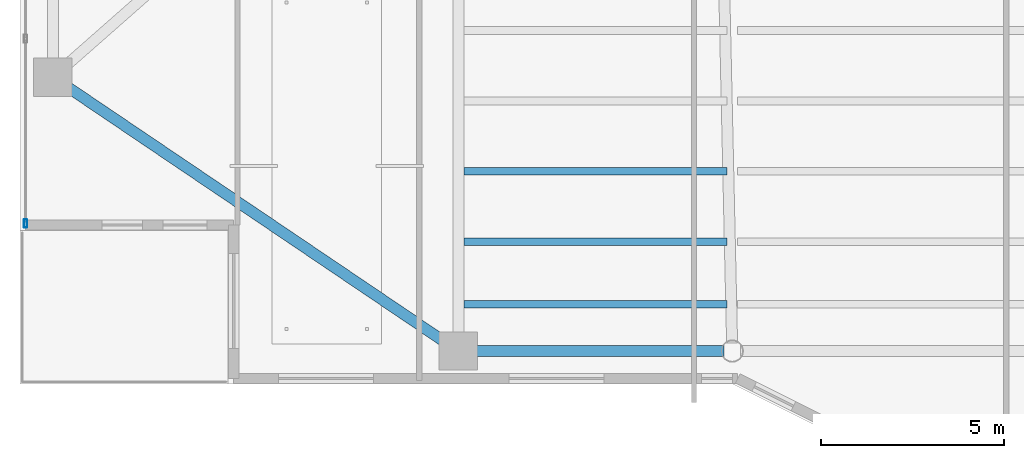
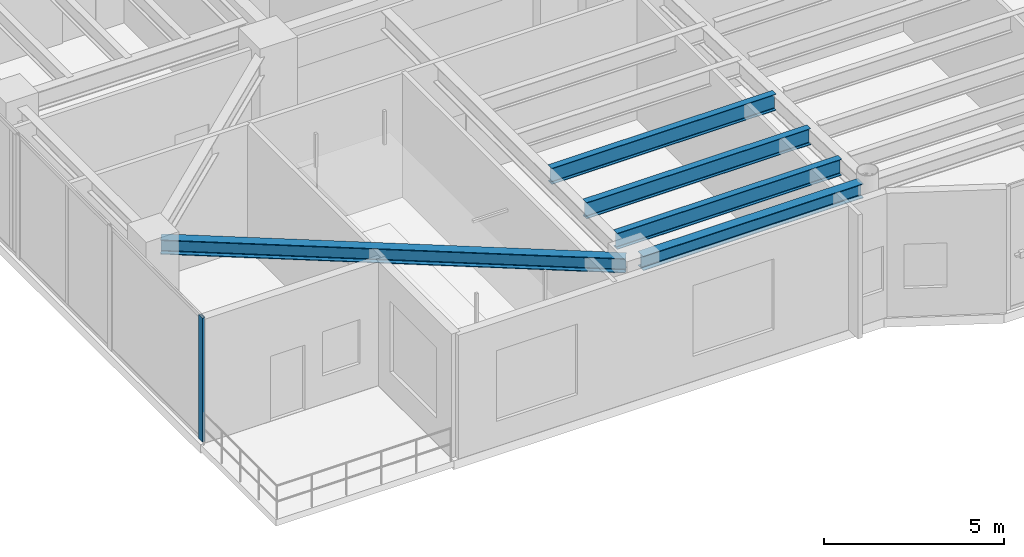
# One storey, part 2 of 38: 5 beams, 1 member, 1 element without a shape of its own.
"""IFC4 building model written with IfcOpenShell, lengths in metres."""

from ifc_helpers import new_model, si_unit, direction, frame, origin, origin_2d, place, context, subcontext, project, spatial, hollow_rectangle, i_section, extrude, material, layer, layer_set, material_profile, profile_set, type_object, element, aggregate, save


model = new_model("IFC4")

# Units and contexts
model_context = context("Model", 3, precision=1e-05, world=origin(), true_north=direction((0.0, 1.0)))
body_context = subcontext(model_context, "Body", "Model", "MODEL_VIEW")
ifc_project = project(units=[si_unit("LENGTHUNIT", "METRE"), si_unit("AREAUNIT", "SQUARE_METRE"), si_unit("VOLUMEUNIT", "CUBIC_METRE"), si_unit("PLANEANGLEUNIT", "RADIAN"), si_unit("MASSUNIT", "GRAM", prefix="KILO")], contexts=[model_context])

# Site, building, storey
site_placement = place(None, origin())
site = spatial("IfcSite", under=ifc_project, at=site_placement, CompositionType="ELEMENT")
building_placement = place(site_placement, origin())
building = spatial("IfcBuilding", under=site, at=building_placement, Name="Tarnavaz Court Tower", CompositionType="ELEMENT")
storey_placement = place(building_placement, frame((0.0, 0.0, 123.0)))
storey = spatial("IfcBuildingStorey", under=building, at=storey_placement, Name="L33", CompositionType="ELEMENT", Elevation=123.0)

# Beams
ifc_material_1 = material(Name="Steel S355", Category="steel")
ifc_material_profile_1 = material_profile(ifc_material_1, i_section(OverallWidth=0.2099609375, OverallDepth=0.550048828125, WebThickness=0.010986328125, FlangeThickness=0.01708984375, FilletRadius=0.02392578125, at=origin_2d()), Name="IPE 550")
ifc_profile_set_1 = profile_set([ifc_material_profile_1], Name="Steel S355")
beam_type_1 = type_object("IfcBeamType", Name="BM-J-IPE550", PredefinedType="JOIST", material=ifc_profile_set_1)
for number, where, z_axis, x_axis, name in (
    (1, (-14.85009765625, -16.3779296875, 3.925048828125), (1.0, 0.0, 0.0), (0.0, 1.0, 0.0), "L33 Beam JS3-1"),
    (2, (-14.85009765625, -18.303955078125, 3.925048828125), (1.0, 0.0, 0.0), (0.0, 1.0, 0.0), "L33 Beam JS4-1"),
    (3, (-14.85009765625, -20.01611328125, 3.925048828125), (1.0, 0.0, 0.0), (0.0, 1.0, 0.0), "L33 Beam JS5-1"),
):
    element("IfcBeam", number, at=place(storey_placement, frame(where, z_axis=z_axis, x_axis=x_axis)), inside=storey, type_object=beam_type_1, Name=name, PredefinedType="JOIST", context=body_context, shape_type="SweptSolid", body=[
        extrude(i_section(OverallWidth=0.2099609375, OverallDepth=0.550048828125, WebThickness=0.010986328125, FlangeThickness=0.01708984375, FilletRadius=0.02392578125, at=origin_2d()), origin(), (0.0, 0.0, 1.0), 7.2001953125),
    ])
ifc_material_profile_2 = material_profile(ifc_material_1, i_section(OverallWidth=0.300048828125, OverallDepth=0.489990234375, WebThickness=0.011962890625, FlangeThickness=0.02294921875, FilletRadius=0.027099609375, at=origin_2d()), Name="HEA 500")
ifc_profile_set_2 = profile_set([ifc_material_profile_2], Name="Steel S355")
beam_type_2 = type_object("IfcBeamType", Name="BM-SP-HEA500", PredefinedType="SPANDREL", material=ifc_profile_set_2)
beam_1_placement = place(storey_placement, frame((-14.780029296875, -21.300048828125, 3.955078125), z_axis=(1.0, 0.0, 0.0), x_axis=(0.0, 1.0, 0.0)))
element("IfcBeam", 4, at=beam_1_placement, inside=storey, type_object=beam_type_2, Name="L33 Beam PR-PS-1-PS-2", PredefinedType="SPANDREL", context=body_context, shape_type="SweptSolid", body=[
    extrude(i_section(OverallWidth=0.300048828125, OverallDepth=0.489990234375, WebThickness=0.011962890625, FlangeThickness=0.02294921875, FilletRadius=0.027099609375, at=origin_2d()), origin(), (0.0, 0.0, 1.0), 7.06005859375),
])
beam_2_placement = place(storey_placement, frame((-15.182373046875, -21.1767578125, 3.955078125), z_axis=(-0.828587314918, 0.559859858854, 0.0), x_axis=(-0.559859858854, -0.828587314918, 0.0)))
element("IfcBeam", 5, at=beam_2_placement, inside=storey, type_object=beam_type_2, Name="L33 Beam PR-PS-1-PW-1", PredefinedType="SPANDREL", context=body_context, shape_type="SweptSolid", body=[
    extrude(i_section(OverallWidth=0.300048828125, OverallDepth=0.489990234375, WebThickness=0.011962890625, FlangeThickness=0.02294921875, FilletRadius=0.027099609375, at=origin_2d()), origin(), (0.0, 0.0, 1.0), 12.956298828125),
])

# Curtain wall, member
ifc_material_2 = material(Name="Anodised Aluminium 6063-T6 and Solar Low-E Glazing", Category="aluminium")
ifc_layer = layer(ifc_material_2, 0.199951171875)
ifc_layer_set = layer_set([ifc_layer], Name="Anodised Aluminium 6063-T6 and Solar Low-E Glazing")
curtain_wall_type = type_object("IfcCurtainWallType", Name="CW-SYS-05", PredefinedType="NOTDEFINED", material=ifc_layer_set)
curtain_wall_placement = place(storey_placement, origin())
curtain_wall = element("IfcCurtainWall", 6, at=curtain_wall_placement, inside=storey, type_object=curtain_wall_type, Name="L33 Sky-Portal Curtain Wall 2", PredefinedType="NOTDEFINED")
ifc_material_3 = material(Name="Anodised Aluminium 6063-T6", Category="aluminium")
ifc_material_profile_3 = material_profile(ifc_material_3, hollow_rectangle(XDim=0.0849609375, YDim=0.219970703125, WallThickness=0.006103515625, InnerFilletRadius=0.006103515625, OuterFilletRadius=0.011962890625, at=origin_2d()), Name="ALU RHS 220X85X6")
ifc_profile_set_3 = profile_set([ifc_material_profile_3], Name="Anodised Aluminium 6063-T6")
member_type = type_object("IfcMemberType", Name="CW-MUL-220", PredefinedType="MULLION", material=ifc_profile_set_3)
member_placement = place(storey_placement, frame((-26.85009765625, -17.8076171875, 0.0), z_axis=(0.0, 0.0, 1.0), x_axis=(-1.0, 0.0, 0.0)))
member = element("IfcMember", 7, at=member_placement, type_object=member_type, Name="CW mullion 1", PredefinedType="MULLION", context=body_context, shape_type="SweptSolid", body=[
    extrude(hollow_rectangle(XDim=0.0849609375, YDim=0.219970703125, WallThickness=0.006103515625, InnerFilletRadius=0.006103515625, OuterFilletRadius=0.011962890625, at=origin_2d()), origin(), (0.0, 0.0, 1.0), 4.199951171875),
])
aggregate(curtain_wall, [member])

save(model, "model.ifc")
